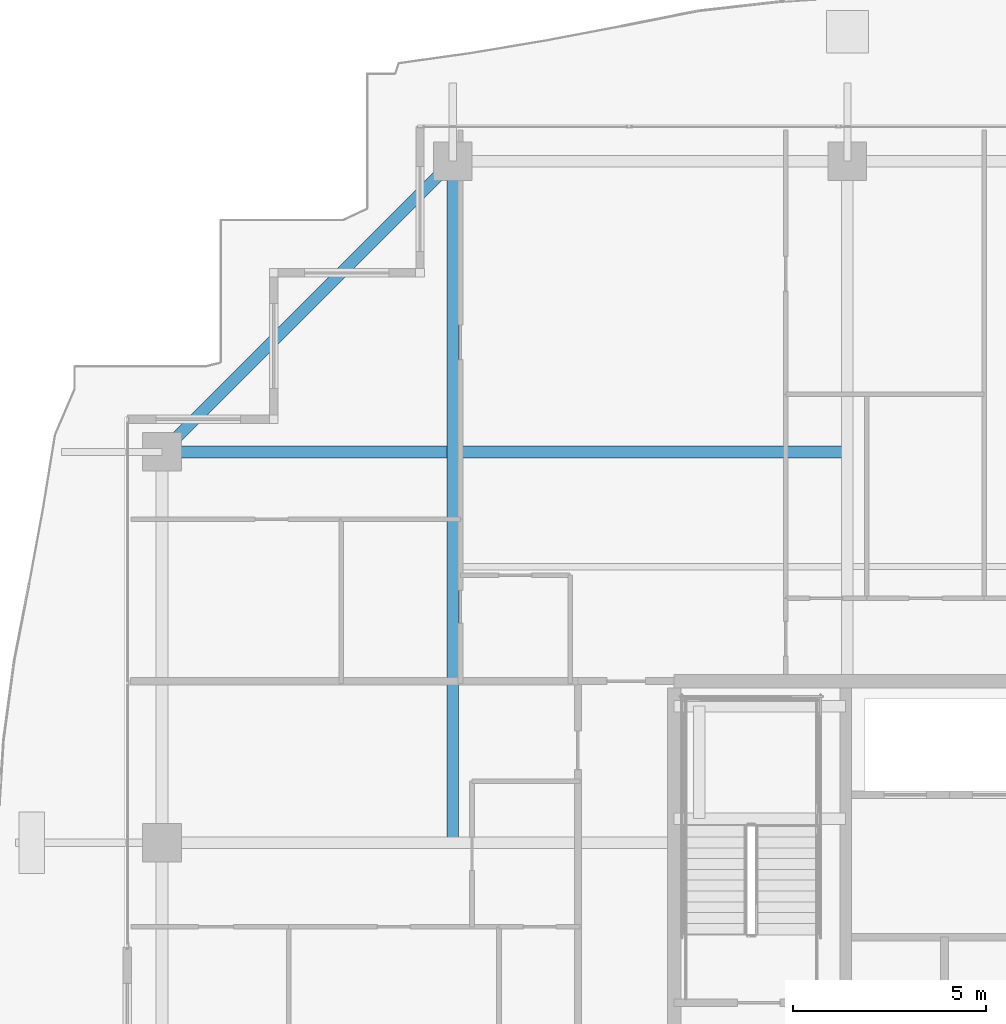
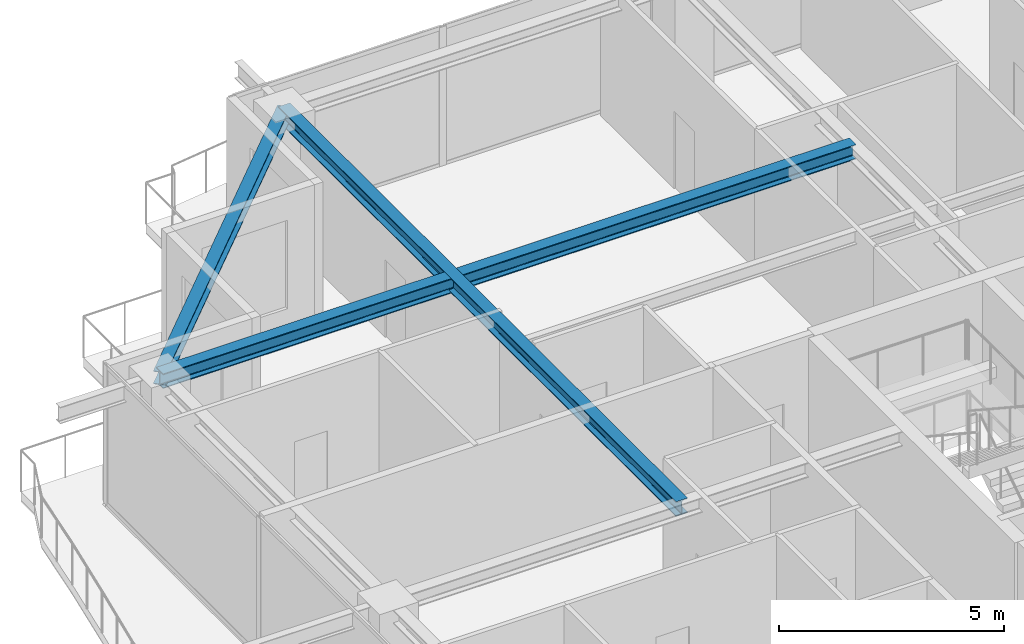
# One storey, part 17 of 37: 3 beams.
"""IFC4 building model written with IfcOpenShell, lengths in metres."""

from ifc_helpers import new_model, si_unit, direction, frame, origin, origin_2d, place, context, subcontext, project, spatial, i_section, extrude, source, transform, mapped, material, material_profile, profile_set, type_object, element, save


model = new_model("IFC4")

# Units and contexts
model_context = context("Model", 3, precision=1e-05, world=origin(), true_north=direction((0.0, 1.0)))
body_context = subcontext(model_context, "Body", "Model", "MODEL_VIEW")
ifc_project = project(units=[si_unit("LENGTHUNIT", "METRE"), si_unit("AREAUNIT", "SQUARE_METRE"), si_unit("VOLUMEUNIT", "CUBIC_METRE"), si_unit("PLANEANGLEUNIT", "RADIAN"), si_unit("MASSUNIT", "GRAM", prefix="KILO")], contexts=[model_context])

# Site, building, storey
site_placement = place(None, origin())
site = spatial("IfcSite", under=ifc_project, at=site_placement, CompositionType="ELEMENT")
building_placement = place(site_placement, origin())
building = spatial("IfcBuilding", under=site, at=building_placement, Name="Serunith Strait Residences", CompositionType="ELEMENT")
storey_placement = place(building_placement, frame((0.0, 0.0, 317.75)))
storey = spatial("IfcBuildingStorey", under=building, at=storey_placement, Name="L79", CompositionType="ELEMENT", Elevation=317.75)

# Beams
ifc_material = material(Name="Steel S355J2", Category="steel")
ifc_material_profile_1 = material_profile(ifc_material, i_section(OverallWidth=0.300048828125, OverallDepth=0.39990234375, WebThickness=0.013427734375, FlangeThickness=0.02392578125, FilletRadius=0.027099609375, at=origin_2d()), Name="HEB 400")
ifc_profile_set_1 = profile_set([ifc_material_profile_1], Name="Steel S355J2")
beam_type_1 = type_object("IfcBeamType", Name="BM-HEB400", PredefinedType="BEAM", material=ifc_profile_set_1)
shared_shape_1 = source(origin(), body_context, "Body", "SweptSolid", [
    extrude(i_section(OverallWidth=0.300048828125, OverallDepth=0.39990234375, WebThickness=0.013427734375, FlangeThickness=0.02392578125, FilletRadius=0.027099609375, at=origin_2d()), origin(), (0.0, 0.0, 1.0), 17.7001953125),
])
beam_1_placement = place(storey_placement, frame((17.64990234375, 29.39990234375, 3.5869140625), z_axis=(0.0, 1.0, 0.0), x_axis=(-1.0, 0.0, 0.0)))
element("IfcBeam", 1, at=beam_1_placement, inside=storey, type_object=beam_type_1, Name="L79 Orthogonal Corner Girder TC-N1", PredefinedType="BEAM", context=body_context, shape_type="MappedRepresentation", body=[
    mapped(shared_shape_1, transform((0.0, 0.0, 0.0), scale=1.0)),
])
shared_shape_2 = source(origin(), body_context, "Body", "SweptSolid", [
    extrude(i_section(OverallWidth=0.300048828125, OverallDepth=0.39990234375, WebThickness=0.013427734375, FlangeThickness=0.02392578125, FilletRadius=0.027099609375, at=origin_2d()), origin(), (0.0, 0.0, 1.0), 17.7998046875),
])
beam_2_placement = place(storey_placement, frame((27.89990234375, 39.550048828125, 3.5869140625), z_axis=(-1.0, 0.0, 0.0), x_axis=(0.0, -1.0, 0.0)))
element("IfcBeam", 2, at=beam_2_placement, inside=storey, type_object=beam_type_1, Name="L79 Orthogonal Corner Girder TC-W4", PredefinedType="BEAM", context=body_context, shape_type="MappedRepresentation", body=[
    mapped(shared_shape_2, transform((0.0, 0.0, 0.0), scale=1.0)),
])
ifc_material_profile_2 = material_profile(ifc_material, i_section(OverallWidth=0.300048828125, OverallDepth=0.360107421875, WebThickness=0.012451171875, FlangeThickness=0.0224609375, FilletRadius=0.027099609375, at=origin_2d()), Name="HEB 360")
ifc_profile_set_2 = profile_set([ifc_material_profile_2], Name="Steel S355J2")
beam_type_2 = type_object("IfcBeamType", Name="BM-HEB360", PredefinedType="BEAM", material=ifc_profile_set_2)
shared_shape_3 = source(origin(), body_context, "Body", "SweptSolid", [
    extrude(i_section(OverallWidth=0.300048828125, OverallDepth=0.360107421875, WebThickness=0.012451171875, FlangeThickness=0.0224609375, FilletRadius=0.027099609375, at=origin_2d()), origin(), (0.0, 0.0, 1.0), 10.67724609375),
])
beam_3_placement = place(storey_placement, frame((17.64990234375, 47.10009765625, 3.576904296875), z_axis=(-0.707095348302, -0.707118213887, 0.0), x_axis=(0.707118213887, -0.707095348302, 0.0)))
element("IfcBeam", 3, at=beam_3_placement, inside=storey, type_object=beam_type_2, Name="L79 Perimeter Ring Beam 12", PredefinedType="BEAM", context=body_context, shape_type="MappedRepresentation", body=[
    mapped(shared_shape_3, transform((0.0, 0.0, 0.0), scale=1.0)),
])

save(model, "model.ifc")
